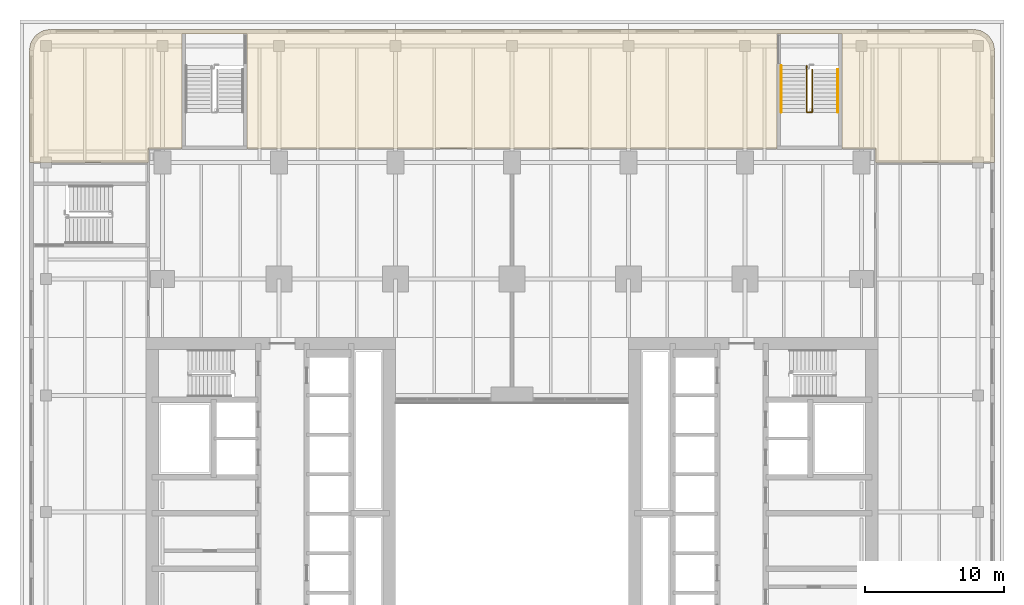
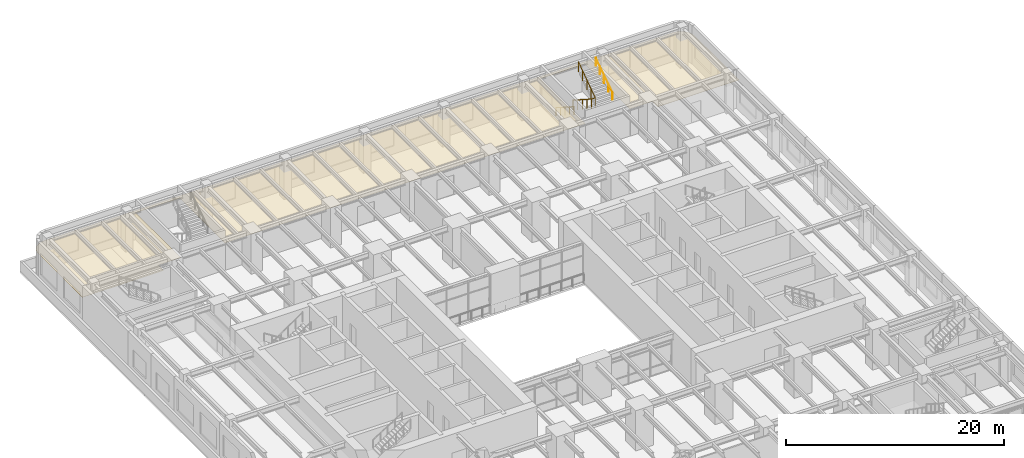
# One storey, part 29 of 30: 3 railings, 1 covering.
"""IFC4 building model written with IfcOpenShell, lengths in metres."""

from ifc_helpers import new_model, si_unit, direction, frame, origin, origin_2d, place, context, subcontext, project, spatial, polyline, circle, outline, extrude, material, layer, layer_set, type_object, element, save


model = new_model("IFC4")

# Units and contexts
model_context = context("Model", 3, precision=1e-05, world=origin(), true_north=direction((0.0, 1.0)))
body_context = subcontext(model_context, "Body", "Model", "MODEL_VIEW")
ifc_project = project(units=[si_unit("LENGTHUNIT", "METRE"), si_unit("AREAUNIT", "SQUARE_METRE"), si_unit("VOLUMEUNIT", "CUBIC_METRE"), si_unit("PLANEANGLEUNIT", "RADIAN"), si_unit("MASSUNIT", "GRAM", prefix="KILO")], contexts=[model_context])

# Site, building, storey
site_placement = place(None, origin())
site = spatial("IfcSite", under=ifc_project, at=site_placement, CompositionType="ELEMENT")
building_placement = place(site_placement, origin())
building = spatial("IfcBuilding", under=site, at=building_placement, Name="Claustro Exchange Tower", CompositionType="ELEMENT")
storey_placement = place(building_placement, frame((0.0, 0.0, 5.39990234375)))
storey = spatial("IfcBuildingStorey", under=building, at=storey_placement, Name="L01", CompositionType="ELEMENT", Elevation=5.39990234375)

# Covering
ifc_material_1 = material(Name="Gypsum board ceiling", Category="gypsum board")
ifc_layer = layer(ifc_material_1, 0.02490234375)
ifc_layer_set = layer_set([ifc_layer], Name="Gypsum board ceiling")
covering_type = type_object("IfcCoveringType", Name="CL2 plasterboard ceiling", PredefinedType="CEILING", material=ifc_layer_set)
covering_placement = place(storey_placement, frame((0.0, 0.0, 3.0)))
element("IfcCovering", 1, at=covering_placement, inside=storey, type_object=covering_type, Name="Ceiling CL2 L01-12", PredefinedType="CEILING", context=body_context, shape_type="SweptSolid", body=[
    extrude(outline(polyline([(-8.10009765625, 60.0), (-8.674072265625, 59.8857421875), (-9.16064453125, 59.560791015625), (-9.48583984375, 59.073974609375), (-9.60009765625, 58.5), (-9.60009765625, 50.39990234375), (-1.0, 50.39990234375), (-1.0, 51.39990234375), (1.39990234375, 51.39990234375), (1.39990234375, 59.679931640625), (6.10009765625, 59.679931640625), (6.10009765625, 51.39990234375), (25.199951171875, 51.39990234375), (44.300048828125, 51.39990234375), (44.300048828125, 59.679931640625), (49.0, 59.679931640625), (49.0, 51.39990234375), (51.39990234375, 51.39990234375), (51.39990234375, 50.39990234375), (60.0, 50.39990234375), (60.0, 58.5), (59.8857421875, 59.073974609375), (59.560791015625, 59.560791015625), (59.073974609375, 59.8857421875), (58.5, 60.0), (-8.10009765625, 60.0)])), origin(), (0.0, 0.0, 1.0), 0.025146484375),
])

# Railings
ifc_material_2 = material(Name="Steel balustrade, painted", Category="steel")
railing_type_1 = type_object("IfcRailingType", Name="GR2 1100 steel stair guard", PredefinedType="GUARDRAIL", material=ifc_material_2)
railing_1_placement = place(storey_placement, frame((46.449951171875, 57.3798828125, 0.18017578125)))
element("IfcRailing", 2, at=railing_1_placement, inside=storey, type_object=railing_type_1, Name="Stair well guard GR2 stair STP4 L01", PredefinedType="GUARDRAIL", context=body_context, shape_type="SweptSolid", body=[
    extrude(circle(Radius=0.02392578125, at=origin_2d()), frame((0.0, 0.0, 1.076171875), z_axis=(0.0, -0.841178475377, 0.540757591313), x_axis=(1.0, 0.0, 0.0)), (0.0, 0.0, 1.0), 3.994140625),
    extrude(circle(Radius=0.02392578125, at=origin_2d()), frame((0.0, -3.35986328125, 3.23583984375), z_axis=(1.0, 0.0, 0.0), x_axis=(0.0, 1.0, 0.0)), (0.0, 0.0, 1.0), 0.400146484375),
    extrude(circle(Radius=0.02392578125, at=origin_2d()), frame((0.400146484375, -3.35986328125, 3.23583984375), z_axis=(0.0, 0.8187499073, 0.574150319426), x_axis=(-1.0, 0.0, 0.0)), (0.0, 0.0, 1.0), 3.761962890625),
    extrude(circle(Radius=0.02099609375, at=origin_2d()), origin(), (0.0, 0.0, 1.0), 1.052001953125),
    extrude(circle(Radius=0.02099609375, at=origin_2d()), frame((0.0, -0.83984375, 0.5400390625)), (0.0, 0.0, 1.0), 1.052001953125),
    extrude(circle(Radius=0.02099609375, at=origin_2d()), frame((0.0, -1.679931640625, 1.080078125)), (0.0, 0.0, 1.0), 1.052001953125),
    extrude(circle(Radius=0.02099609375, at=origin_2d()), frame((0.0, -2.52001953125, 1.619873046875)), (0.0, 0.0, 1.0), 1.052001953125),
    extrude(circle(Radius=0.02099609375, at=origin_2d()), frame((0.0, -3.35986328125, 2.159912109375)), (0.0, 0.0, 1.0), 1.052001953125),
    extrude(circle(Radius=0.02099609375, at=origin_2d()), frame((0.400146484375, -3.35986328125, 2.159912109375)), (0.0, 0.0, 1.0), 1.052001953125),
    extrude(circle(Radius=0.02099609375, at=origin_2d()), frame((0.400146484375, -2.58984375, 2.699951171875)), (0.0, 0.0, 1.0), 1.052001953125),
    extrude(circle(Radius=0.02099609375, at=origin_2d()), frame((0.400146484375, -1.81982421875, 3.23974609375)), (0.0, 0.0, 1.0), 1.052001953125),
    extrude(circle(Radius=0.02099609375, at=origin_2d()), frame((0.400146484375, -1.0498046875, 3.77978515625)), (0.0, 0.0, 1.0), 1.052001953125),
    extrude(circle(Radius=0.02099609375, at=origin_2d()), frame((0.400146484375, -0.27978515625, 4.31982421875)), (0.0, 0.0, 1.0), 1.052001953125),
])
ifc_material_3 = material(Name="Stainless steel tube", Category="steel")
railing_type_2 = type_object("IfcRailingType", Name="HR1 900 stair handrail", PredefinedType="HANDRAIL", material=ifc_material_3)
railing_2_placement = place(storey_placement, frame((44.610107421875, 57.3798828125, 0.18017578125)))
element("IfcRailing", 3, at=railing_2_placement, inside=storey, type_object=railing_type_2, Name="Handrail HR1 stair STP4 L01", PredefinedType="HANDRAIL", context=body_context, shape_type="SweptSolid", body=[
    extrude(circle(Radius=0.02392578125, at=origin_2d()), frame((0.0, 0.0, 0.8759765625), z_axis=(0.0, -0.841178475377, 0.540757591313), x_axis=(1.0, 0.0, 0.0)), (0.0, 0.0, 1.0), 3.994140625),
    extrude(circle(Radius=0.02099609375, at=origin_2d()), origin(), (0.0, 0.0, 1.0), 0.851806640625),
    extrude(circle(Radius=0.02099609375, at=origin_2d()), frame((0.0, -0.83984375, 0.5400390625)), (0.0, 0.0, 1.0), 0.851806640625),
    extrude(circle(Radius=0.02099609375, at=origin_2d()), frame((0.0, -1.679931640625, 1.080078125)), (0.0, 0.0, 1.0), 0.851806640625),
    extrude(circle(Radius=0.02099609375, at=origin_2d()), frame((0.0, -2.52001953125, 1.619873046875)), (0.0, 0.0, 1.0), 0.851806640625),
    extrude(circle(Radius=0.02099609375, at=origin_2d()), frame((0.0, -3.35986328125, 2.159912109375)), (0.0, 0.0, 1.0), 0.851806640625),
])
railing_3_placement = place(storey_placement, frame((48.68994140625, 54.02001953125, 2.52001953125)))
element("IfcRailing", 4, at=railing_3_placement, inside=storey, type_object=railing_type_2, Name="Handrail HR1 stair STP4 L01", PredefinedType="HANDRAIL", context=body_context, shape_type="SweptSolid", body=[
    extrude(circle(Radius=0.02392578125, at=origin_2d()), frame((0.0, 0.0, 0.8759765625), z_axis=(0.0, 0.84118714077, 0.540744111576), x_axis=(-1.0, 0.0, 0.0)), (0.0, 0.0, 1.0), 3.66162109375),
    extrude(circle(Radius=0.02099609375, at=origin_2d()), origin(), (0.0, 0.0, 1.0), 0.851806640625),
    extrude(circle(Radius=0.02099609375, at=origin_2d()), frame((0.0, 0.77001953125, 0.4951171875)), (0.0, 0.0, 1.0), 0.851806640625),
    extrude(circle(Radius=0.02099609375, at=origin_2d()), frame((0.0, 1.5400390625, 0.989990234375)), (0.0, 0.0, 1.0), 0.851806640625),
    extrude(circle(Radius=0.02099609375, at=origin_2d()), frame((0.0, 2.31005859375, 1.48486328125)), (0.0, 0.0, 1.0), 0.851806640625),
    extrude(circle(Radius=0.02099609375, at=origin_2d()), frame((0.0, 3.080078125, 1.97998046875)), (0.0, 0.0, 1.0), 0.851806640625),
])

save(model, "model.ifc")
